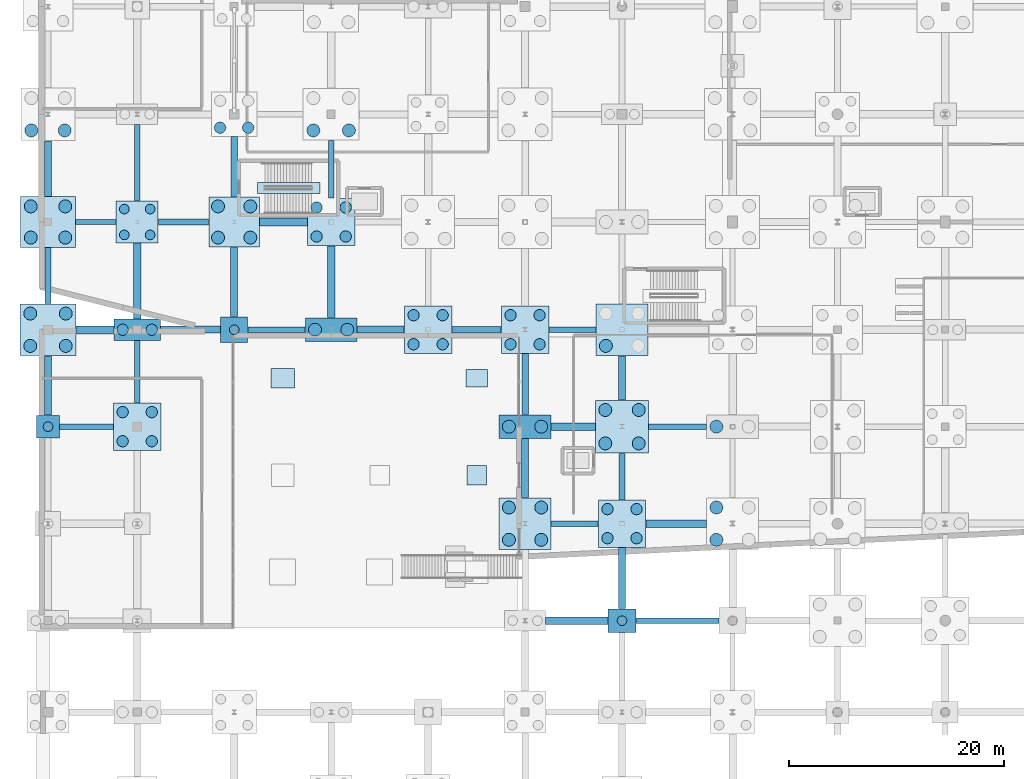
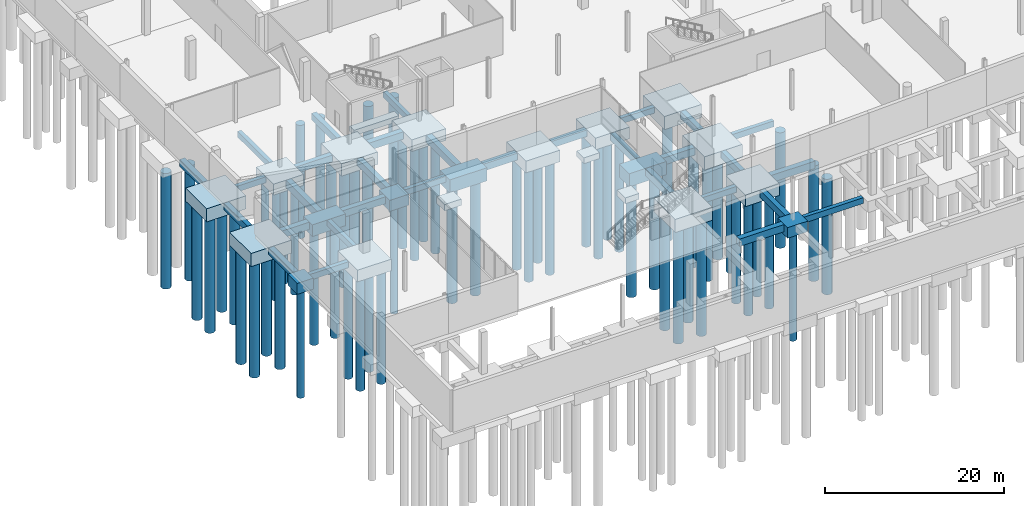
# One storey, part 2 of 60: 63 piles, 53 footings.
"""IFC4 building model written with IfcOpenShell, lengths in metres."""

from ifc_helpers import new_model, si_unit, direction, frame, origin, origin_2d, place, context, subcontext, project, spatial, rectangle, circle, extrude, material, material_profile, profile_set, type_object, element, save


model = new_model("IFC4")

# Units and contexts
model_context = context("Model", 3, precision=1e-05, world=origin(), true_north=direction((0.0, 1.0)))
body_context = subcontext(model_context, "Body", "Model", "MODEL_VIEW")
ifc_project = project(units=[si_unit("LENGTHUNIT", "METRE"), si_unit("AREAUNIT", "SQUARE_METRE"), si_unit("VOLUMEUNIT", "CUBIC_METRE"), si_unit("PLANEANGLEUNIT", "RADIAN"), si_unit("MASSUNIT", "GRAM", prefix="KILO")], contexts=[model_context])

# Site, building, storey
site_placement = place(None, origin())
site = spatial("IfcSite", under=ifc_project, at=site_placement, CompositionType="ELEMENT")
building_placement = place(site_placement, origin())
building = spatial("IfcBuilding", under=site, at=building_placement, Name="Trimount Lyric Opera House", CompositionType="ELEMENT")
storey_placement = place(building_placement, frame((0.0, 0.0, -5.39990234375)))
storey = spatial("IfcBuildingStorey", under=building, at=storey_placement, Name="B1", CompositionType="ELEMENT", Elevation=-5.39990234375)

# Footings
ifc_material_1 = material(Name="Concrete C40/50", Category="concrete")
footing_type_1 = type_object("IfcFootingType", Name="FB-01", PredefinedType="FOOTING_BEAM", material=ifc_material_1)
footing_1_placement = place(storey_placement, frame((5.0849609375, 44.0, -1.60009765625), z_axis=(0.0, 0.0, 1.0), x_axis=(1.0, 0.0, 0.0)))
element("IfcFooting", 1, at=footing_1_placement, inside=storey, type_object=footing_type_1, Name="Ground tie beam X-0008", PredefinedType="FOOTING_BEAM", context=body_context, shape_type="SweptSolid", body=[
    extrude(rectangle(XDim=3.5, YDim=0.699951171875, at=origin_2d()), origin(), (0.0, 0.0, 1.0), 1.0),
])
footing_2_placement = place(storey_placement, frame((9.0, 48.52490234375, -1.60009765625), z_axis=(0.0, 0.0, 1.0), x_axis=(1.0, 0.0, 0.0)))
element("IfcFooting", 2, at=footing_2_placement, inside=storey, type_object=footing_type_1, Name="Ground tie beam Y-0032", PredefinedType="FOOTING_BEAM", context=body_context, shape_type="SweptSolid", body=[
    extrude(rectangle(XDim=0.699951171875, YDim=7.02001953125, at=origin_2d()), origin(), (0.0, 0.0, 1.0), 1.0),
])
footing_3_placement = place(storey_placement, frame((22.574951171875, 54.0, -1.60009765625), z_axis=(0.0, 0.0, 1.0), x_axis=(1.0, 0.0, 0.0)))
element("IfcFooting", 3, at=footing_3_placement, inside=storey, type_object=footing_type_1, Name="Ground tie beam X-0052", PredefinedType="FOOTING_BEAM", context=body_context, shape_type="SweptSolid", body=[
    extrude(rectangle(XDim=4.419921875, YDim=0.699951171875, at=origin_2d()), origin(), (0.0, 0.0, 1.0), 1.0),
])
footing_4_placement = place(storey_placement, frame((27.0, 48.449951171875, -1.60009765625), z_axis=(0.0, 0.0, 1.0), x_axis=(1.0, 0.0, 0.0)))
element("IfcFooting", 4, at=footing_4_placement, inside=storey, type_object=footing_type_1, Name="Ground tie beam Y-0068", PredefinedType="FOOTING_BEAM", context=body_context, shape_type="SweptSolid", body=[
    extrude(rectangle(XDim=0.699951171875, YDim=6.669921875, at=origin_2d()), origin(), (0.0, 0.0, 1.0), 1.0),
])
footing_5_placement = place(storey_placement, frame((49.800048828125, 17.0, -1.60009765625), z_axis=(0.0, 0.0, 1.0), x_axis=(1.0, 0.0, 0.0)))
element("IfcFooting", 5, at=footing_5_placement, inside=storey, type_object=footing_type_1, Name="Ground tie beam X-0096", PredefinedType="FOOTING_BEAM", context=body_context, shape_type="SweptSolid", body=[
    extrude(rectangle(XDim=5.77001953125, YDim=0.699951171875, at=origin_2d()), origin(), (0.0, 0.0, 1.0), 1.0),
])
footing_6_placement = place(storey_placement, frame((49.47509765625, 35.0, -1.60009765625), z_axis=(0.0, 0.0, 1.0), x_axis=(1.0, 0.0, 0.0)))
element("IfcFooting", 6, at=footing_6_placement, inside=storey, type_object=footing_type_1, Name="Ground tie beam X-0100", PredefinedType="FOOTING_BEAM", context=body_context, shape_type="SweptSolid", body=[
    extrude(rectangle(XDim=4.1201171875, YDim=0.699951171875, at=origin_2d()), origin(), (0.0, 0.0, 1.0), 1.0),
])
footing_7_placement = place(storey_placement, frame((59.030029296875, 26.0, -1.60009765625), z_axis=(0.0, 0.0, 1.0), x_axis=(1.0, 0.0, 0.0)))
element("IfcFooting", 7, at=footing_7_placement, inside=storey, type_object=footing_type_1, Name="Ground tie beam X-0124", PredefinedType="FOOTING_BEAM", context=body_context, shape_type="SweptSolid", body=[
    extrude(rectangle(XDim=5.6298828125, YDim=0.699951171875, at=origin_2d()), origin(), (0.0, 0.0, 1.0), 1.0),
])
ifc_material_2 = material(Name="Concrete C40/50", Category="concrete")
footing_type_2 = type_object("IfcFootingType", Name="FB-02", PredefinedType="FOOTING_BEAM", material=ifc_material_2)
footing_8_placement = place(storey_placement, frame((0.719970703125, 49.02490234375, -1.5), z_axis=(0.0, 0.0, 1.0), x_axis=(1.0, 0.0, 0.0)))
element("IfcFooting", 8, at=footing_8_placement, inside=storey, type_object=footing_type_2, Name="Ground tie beam Y-0009", PredefinedType="FOOTING_BEAM", context=body_context, shape_type="SweptSolid", body=[
    extrude(rectangle(XDim=0.60009765625, YDim=5.219970703125, at=origin_2d()), origin(), (0.0, 0.0, 1.0), 0.89990234375),
])
footing_9_placement = place(storey_placement, frame((13.300048828125, 54.0, -1.5), z_axis=(0.0, 0.0, 1.0), x_axis=(1.0, 0.0, 0.0)))
element("IfcFooting", 9, at=footing_9_placement, inside=storey, type_object=footing_type_2, Name="Ground tie beam X-0033", PredefinedType="FOOTING_BEAM", context=body_context, shape_type="SweptSolid", body=[
    extrude(rectangle(XDim=4.669921875, YDim=0.60009765625, at=origin_2d()), origin(), (0.0, 0.0, 1.0), 0.89990234375),
])
footing_10_placement = place(storey_placement, frame((18.0, 59.125, -1.5), z_axis=(0.0, 0.0, 1.0), x_axis=(1.0, 0.0, 0.0)))
element("IfcFooting", 10, at=footing_10_placement, inside=storey, type_object=footing_type_2, Name="Ground tie beam Y-0053", PredefinedType="FOOTING_BEAM", context=body_context, shape_type="SweptSolid", body=[
    extrude(rectangle(XDim=0.60009765625, YDim=5.6201171875, at=origin_2d()), origin(), (0.0, 0.0, 1.0), 0.89990234375),
])
footing_11_placement = place(storey_placement, frame((40.5, 44.0, -1.5), z_axis=(0.0, 0.0, 1.0), x_axis=(1.0, 0.0, 0.0)))
element("IfcFooting", 11, at=footing_11_placement, inside=storey, type_object=footing_type_2, Name="Ground tie beam X-0081", PredefinedType="FOOTING_BEAM", context=body_context, shape_type="SweptSolid", body=[
    extrude(rectangle(XDim=4.570068359375, YDim=0.60009765625, at=origin_2d()), origin(), (0.0, 0.0, 1.0), 0.89990234375),
])
footing_12_placement = place(storey_placement, frame((45.0, 38.949951171875, -1.5), z_axis=(0.0, 0.0, 1.0), x_axis=(1.0, 0.0, 0.0)))
element("IfcFooting", 12, at=footing_12_placement, inside=storey, type_object=footing_type_2, Name="Ground tie beam Y-0101", PredefinedType="FOOTING_BEAM", context=body_context, shape_type="SweptSolid", body=[
    extrude(rectangle(XDim=0.60009765625, YDim=5.669921875, at=origin_2d()), origin(), (0.0, 0.0, 1.0), 0.89990234375),
])
footing_13_placement = place(storey_placement, frame((54.0, 30.375, -1.5), z_axis=(0.0, 0.0, 1.0), x_axis=(1.0, 0.0, 0.0)))
element("IfcFooting", 13, at=footing_13_placement, inside=storey, type_object=footing_type_2, Name="Ground tie beam Y-0125", PredefinedType="FOOTING_BEAM", context=body_context, shape_type="SweptSolid", body=[
    extrude(rectangle(XDim=0.60009765625, YDim=4.320068359375, at=origin_2d()), origin(), (0.0, 0.0, 1.0), 0.89990234375),
])
ifc_material_3 = material(Name="Concrete C40/50", Category="concrete")
footing_type_3 = type_object("IfcFootingType", Name="FB-03", PredefinedType="FOOTING_BEAM", material=ifc_material_3)
footing_14_placement = place(storey_placement, frame((4.284912109375, 35.0, -1.39990234375), z_axis=(0.0, 0.0, 1.0), x_axis=(1.0, 0.0, 0.0)))
element("IfcFooting", 14, at=footing_14_placement, inside=storey, type_object=footing_type_3, Name="Ground tie beam X-0006", PredefinedType="FOOTING_BEAM", context=body_context, shape_type="SweptSolid", body=[
    extrude(rectangle(XDim=5.0, YDim=0.5, at=origin_2d()), origin(), (0.0, 0.0, 1.0), 0.800048828125),
])
footing_15_placement = place(storey_placement, frame((5.159912109375, 54.0, -1.39990234375), z_axis=(0.0, 0.0, 1.0), x_axis=(1.0, 0.0, 0.0)))
element("IfcFooting", 15, at=footing_15_placement, inside=storey, type_object=footing_type_3, Name="Ground tie beam X-0010", PredefinedType="FOOTING_BEAM", context=body_context, shape_type="SweptSolid", body=[
    extrude(rectangle(XDim=3.75, YDim=0.5, at=origin_2d()), origin(), (0.0, 0.0, 1.0), 0.800048828125),
])
footing_16_placement = place(storey_placement, frame((9.0, 40.10009765625, -1.39990234375), z_axis=(0.0, 0.0, 1.0), x_axis=(1.0, 0.0, 0.0)))
element("IfcFooting", 16, at=footing_16_placement, inside=storey, type_object=footing_type_3, Name="Ground tie beam Y-0030", PredefinedType="FOOTING_BEAM", context=body_context, shape_type="SweptSolid", body=[
    extrude(rectangle(XDim=0.5, YDim=5.77001953125, at=origin_2d()), origin(), (0.0, 0.0, 1.0), 0.800048828125),
])
footing_17_placement = place(storey_placement, frame((9.0, 59.5, -1.39990234375), z_axis=(0.0, 0.0, 1.0), x_axis=(1.0, 0.0, 0.0)))
element("IfcFooting", 17, at=footing_17_placement, inside=storey, type_object=footing_type_3, Name="Ground tie beam Y-0034", PredefinedType="FOOTING_BEAM", context=body_context, shape_type="SweptSolid", body=[
    extrude(rectangle(XDim=0.5, YDim=7.070068359375, at=origin_2d()), origin(), (0.0, 0.0, 1.0), 0.800048828125),
])
footing_18_placement = place(storey_placement, frame((21.925048828125, 44.0, -1.39990234375), z_axis=(0.0, 0.0, 1.0), x_axis=(1.0, 0.0, 0.0)))
element("IfcFooting", 18, at=footing_18_placement, inside=storey, type_object=footing_type_3, Name="Ground tie beam X-0050", PredefinedType="FOOTING_BEAM", context=body_context, shape_type="SweptSolid", body=[
    extrude(rectangle(XDim=5.320068359375, YDim=0.5, at=origin_2d()), origin(), (0.0, 0.0, 1.0), 0.800048828125),
])
footing_19_placement = place(storey_placement, frame((27.0, 58.89990234375, -1.39990234375), z_axis=(0.0, 0.0, 1.0), x_axis=(1.0, 0.0, 0.0)))
element("IfcFooting", 19, at=footing_19_placement, inside=storey, type_object=footing_type_3, Name="Ground tie beam Y-0070", PredefinedType="FOOTING_BEAM", context=body_context, shape_type="SweptSolid", body=[
    extrude(rectangle(XDim=0.5, YDim=5.3701171875, at=origin_2d()), origin(), (0.0, 0.0, 1.0), 0.800048828125),
])
for number, where, z_axis, x_axis, name in (
    (20, (49.60009765625, 26.0, -1.39990234375), (0.0, 0.0, 1.0), (1.0, 0.0, 0.0), "Ground tie beam X-0098"),
    (21, (49.39990234375, 44.0, -1.39990234375), (0.0, 0.0, 1.0), (1.0, 0.0, 0.0), "Ground tie beam X-0102"),
):
    element("IfcFooting", number, at=place(storey_placement, frame(where, z_axis=z_axis, x_axis=x_axis)), inside=storey, type_object=footing_type_3, Name=name, PredefinedType="FOOTING_BEAM", context=body_context, shape_type="SweptSolid", body=[
        extrude(rectangle(XDim=4.3701171875, YDim=0.5, at=origin_2d()), origin(), (0.0, 0.0, 1.0), 0.800048828125),
    ])
footing_20_placement = place(storey_placement, frame((59.155029296875, 17.0, -1.39990234375), z_axis=(0.0, 0.0, 1.0), x_axis=(1.0, 0.0, 0.0)))
element("IfcFooting", 22, at=footing_20_placement, inside=storey, type_object=footing_type_3, Name="Ground tie beam X-0122", PredefinedType="FOOTING_BEAM", context=body_context, shape_type="SweptSolid", body=[
    extrude(rectangle(XDim=7.679931640625, YDim=0.5, at=origin_2d()), origin(), (0.0, 0.0, 1.0), 0.800048828125),
])
footing_21_placement = place(storey_placement, frame((59.155029296875, 35.0, -1.39990234375), z_axis=(0.0, 0.0, 1.0), x_axis=(1.0, 0.0, 0.0)))
element("IfcFooting", 23, at=footing_21_placement, inside=storey, type_object=footing_type_3, Name="Ground tie beam X-0126", PredefinedType="FOOTING_BEAM", context=body_context, shape_type="SweptSolid", body=[
    extrude(rectangle(XDim=5.3798828125, YDim=0.5, at=origin_2d()), origin(), (0.0, 0.0, 1.0), 0.800048828125),
])
ifc_material_4 = material(Name="Concrete C40/50", Category="concrete")
footing_type_4 = type_object("IfcFootingType", Name="FB-04", PredefinedType="FOOTING_BEAM", material=ifc_material_4)
footing_22_placement = place(storey_placement, frame((0.719970703125, 38.824951171875, -1.55029296875), z_axis=(0.0, 0.0, 1.0), x_axis=(1.0, 0.0, 0.0)))
element("IfcFooting", 24, at=footing_22_placement, inside=storey, type_object=footing_type_4, Name="Ground tie beam Y-0007", PredefinedType="FOOTING_BEAM", context=body_context, shape_type="SweptSolid", body=[
    extrude(rectangle(XDim=0.64990234375, YDim=5.52001953125, at=origin_2d()), origin(), (0.0, 0.0, 1.0), 0.949951171875),
])
footing_23_placement = place(storey_placement, frame((0.719970703125, 58.949951171875, -1.55029296875), z_axis=(0.0, 0.0, 1.0), x_axis=(1.0, 0.0, 0.0)))
element("IfcFooting", 25, at=footing_23_placement, inside=storey, type_object=footing_type_4, Name="Ground tie beam Y-0011", PredefinedType="FOOTING_BEAM", context=body_context, shape_type="SweptSolid", body=[
    extrude(rectangle(XDim=0.64990234375, YDim=5.169921875, at=origin_2d()), origin(), (0.0, 0.0, 1.0), 0.949951171875),
])
footing_24_placement = place(storey_placement, frame((13.949951171875, 44.0, -1.55029296875), z_axis=(0.0, 0.0, 1.0), x_axis=(1.0, 0.0, 0.0)))
element("IfcFooting", 26, at=footing_24_placement, inside=storey, type_object=footing_type_4, Name="Ground tie beam X-0031", PredefinedType="FOOTING_BEAM", context=body_context, shape_type="SweptSolid", body=[
    extrude(rectangle(XDim=5.570068359375, YDim=0.64990234375, at=origin_2d()), origin(), (0.0, 0.0, 1.0), 0.949951171875),
])
footing_25_placement = place(storey_placement, frame((18.0, 48.449951171875, -1.55029296875), z_axis=(0.0, 0.0, 1.0), x_axis=(1.0, 0.0, 0.0)))
element("IfcFooting", 27, at=footing_25_placement, inside=storey, type_object=footing_type_4, Name="Ground tie beam Y-0051", PredefinedType="FOOTING_BEAM", context=body_context, shape_type="SweptSolid", body=[
    extrude(rectangle(XDim=0.64990234375, YDim=6.469970703125, at=origin_2d()), origin(), (0.0, 0.0, 1.0), 0.949951171875),
])
footing_26_placement = place(storey_placement, frame((31.60009765625, 44.0, -1.55029296875), z_axis=(0.0, 0.0, 1.0), x_axis=(1.0, 0.0, 0.0)))
element("IfcFooting", 28, at=footing_26_placement, inside=storey, type_object=footing_type_4, Name="Ground tie beam X-0067", PredefinedType="FOOTING_BEAM", context=body_context, shape_type="SweptSolid", body=[
    extrude(rectangle(XDim=4.3701171875, YDim=0.64990234375, at=origin_2d()), origin(), (0.0, 0.0, 1.0), 0.949951171875),
])
footing_27_placement = place(storey_placement, frame((45.0, 31.14990234375, -1.55029296875), z_axis=(0.0, 0.0, 1.0), x_axis=(1.0, 0.0, 0.0)))
element("IfcFooting", 29, at=footing_27_placement, inside=storey, type_object=footing_type_4, Name="Ground tie beam Y-0099", PredefinedType="FOOTING_BEAM", context=body_context, shape_type="SweptSolid", body=[
    extrude(rectangle(XDim=0.64990234375, YDim=5.469970703125, at=origin_2d()), origin(), (0.0, 0.0, 1.0), 0.949951171875),
])
footing_28_placement = place(storey_placement, frame((54.0, 20.949951171875, -1.55029296875), z_axis=(0.0, 0.0, 1.0), x_axis=(1.0, 0.0, 0.0)))
element("IfcFooting", 30, at=footing_28_placement, inside=storey, type_object=footing_type_4, Name="Ground tie beam Y-0123", PredefinedType="FOOTING_BEAM", context=body_context, shape_type="SweptSolid", body=[
    extrude(rectangle(XDim=0.64990234375, YDim=5.669921875, at=origin_2d()), origin(), (0.0, 0.0, 1.0), 0.949951171875),
])
footing_29_placement = place(storey_placement, frame((54.0, 39.52490234375, -1.55029296875), z_axis=(0.0, 0.0, 1.0), x_axis=(1.0, 0.0, 0.0)))
element("IfcFooting", 31, at=footing_29_placement, inside=storey, type_object=footing_type_4, Name="Ground tie beam Y-0127", PredefinedType="FOOTING_BEAM", context=body_context, shape_type="SweptSolid", body=[
    extrude(rectangle(XDim=0.64990234375, YDim=4.1201171875, at=origin_2d()), origin(), (0.0, 0.0, 1.0), 0.949951171875),
])
ifc_material_5 = material(Name="Concrete C40/50", Category="concrete")
footing_type_5 = type_object("IfcFootingType", Name="PC-01", PredefinedType="PILE_CAP", material=ifc_material_5)
footing_30_placement = place(storey_placement, frame((54.0, 35.0, -2.39990234375), z_axis=(0.0, 0.0, 1.0), x_axis=(1.0, 0.0, 0.0)))
element("IfcFooting", 32, at=footing_30_placement, inside=storey, type_object=footing_type_5, Name="Pile cap 7/E", PredefinedType="PILE_CAP", context=body_context, shape_type="SweptSolid", body=[
    extrude(rectangle(XDim=4.89990234375, YDim=4.89990234375, at=origin_2d()), origin(), (0.0, 0.0, 1.0), 1.800048828125),
])
ifc_material_6 = material(Name="Concrete C40/50", Category="concrete")
footing_type_6 = type_object("IfcFootingType", Name="PC-02", PredefinedType="PILE_CAP", material=ifc_material_6)
for number, where, z_axis, x_axis, name in (
    (33, (45.0, 26.0, -2.39990234375), (0.0, 0.0, 1.0), (1.0, 0.0, 0.0), "Pile cap 6/D"),
    (34, (54.0, 44.0, -2.39990234375), (0.0, 0.0, 1.0), (1.0, 0.0, 0.0), "Pile cap 7/F"),
):
    element("IfcFooting", number, at=place(storey_placement, frame(where, z_axis=z_axis, x_axis=x_axis)), inside=storey, type_object=footing_type_6, Name=name, PredefinedType="PILE_CAP", context=body_context, shape_type="SweptSolid", body=[
        extrude(rectangle(XDim=4.800048828125, YDim=4.800048828125, at=origin_2d()), origin(), (0.0, 0.0, 1.0), 1.800048828125),
    ])
ifc_material_7 = material(Name="Concrete C40/50", Category="concrete")
footing_type_7 = type_object("IfcFootingType", Name="PC-03", PredefinedType="PILE_CAP", material=ifc_material_7)
for number, where, z_axis, x_axis, name in (
    (35, (27.0, 44.0, -2.39990234375), (0.0, 0.0, 1.0), (1.0, 0.0, 0.0), "Pile cap 4/F"),
    (36, (45.0, 35.0, -2.39990234375), (0.0, 0.0, 1.0), (1.0, 0.0, 0.0), "Pile cap 6/E"),
):
    element("IfcFooting", number, at=place(storey_placement, frame(where, z_axis=z_axis, x_axis=x_axis)), inside=storey, type_object=footing_type_7, Name=name, PredefinedType="PILE_CAP", context=body_context, shape_type="SweptSolid", body=[
        extrude(rectangle(XDim=4.800048828125, YDim=2.199951171875, at=origin_2d()), origin(), (0.0, 0.0, 1.0), 1.800048828125),
    ])
ifc_material_8 = material(Name="Concrete C40/50", Category="concrete")
footing_type_8 = type_object("IfcFootingType", Name="PC-04", PredefinedType="PILE_CAP", material=ifc_material_8)
for number, where, z_axis, x_axis, name in (
    (37, (9.0, 35.0, -2.2001953125), (0.0, 0.0, 1.0), (1.0, 0.0, 0.0), "Pile cap 2/E"),
    (38, (27.0, 54.0, -2.2001953125), (0.0, 0.0, 1.0), (1.0, 0.0, 0.0), "Pile cap 4/G"),
    (39, (36.0, 44.0, -2.2001953125), (0.0, 0.0, 1.0), (1.0, 0.0, 0.0), "Pile cap 5/F"),
    (40, (45.0, 44.0, -2.2001953125), (0.0, 0.0, 1.0), (1.0, 0.0, 0.0), "Pile cap 6/F"),
    (41, (54.0, 26.0, -2.2001953125), (0.0, 0.0, 1.0), (1.0, 0.0, 0.0), "Pile cap 7/D"),
):
    element("IfcFooting", number, at=place(storey_placement, frame(where, z_axis=z_axis, x_axis=x_axis)), inside=storey, type_object=footing_type_8, Name=name, PredefinedType="PILE_CAP", context=body_context, shape_type="SweptSolid", body=[
        extrude(rectangle(XDim=4.39990234375, YDim=4.39990234375, at=origin_2d()), origin(), (0.0, 0.0, 1.0), 1.60009765625),
    ])
ifc_material_9 = material(Name="Concrete C40/50", Category="concrete")
footing_type_9 = type_object("IfcFootingType", Name="PC-05", PredefinedType="PILE_CAP", material=ifc_material_9)
footing_31_placement = place(storey_placement, frame((9.0, 44.0, -2.2001953125), z_axis=(0.0, 0.0, 1.0), x_axis=(1.0, 0.0, 0.0)))
element("IfcFooting", 42, at=footing_31_placement, inside=storey, type_object=footing_type_9, Name="Pile cap 2/F", PredefinedType="PILE_CAP", context=body_context, shape_type="SweptSolid", body=[
    extrude(rectangle(XDim=4.300048828125, YDim=2.0, at=origin_2d()), origin(), (0.0, 0.0, 1.0), 1.60009765625),
])
ifc_material_10 = material(Name="Concrete C40/50", Category="concrete")
footing_type_10 = type_object("IfcFootingType", Name="PC-06", PredefinedType="PILE_CAP", material=ifc_material_10)
footing_32_placement = place(storey_placement, frame((9.0, 54.0, -2.10009765625), z_axis=(0.0, 0.0, 1.0), x_axis=(1.0, 0.0, 0.0)))
element("IfcFooting", 43, at=footing_32_placement, inside=storey, type_object=footing_type_10, Name="Pile cap 2/G", PredefinedType="PILE_CAP", context=body_context, shape_type="SweptSolid", body=[
    extrude(rectangle(XDim=3.89990234375, YDim=3.89990234375, at=origin_2d()), origin(), (0.0, 0.0, 1.0), 1.5),
])
ifc_material_11 = material(Name="Concrete C40/50", Category="concrete")
footing_type_11 = type_object("IfcFootingType", Name="PC-09", PredefinedType="PILE_CAP", material=ifc_material_11)
footing_33_placement = place(storey_placement, frame((0.719970703125, 35.0, -2.10009765625), z_axis=(0.0, 0.0, 1.0), x_axis=(1.0, 0.0, 0.0)))
element("IfcFooting", 44, at=footing_33_placement, inside=storey, type_object=footing_type_11, Name="Pile cap 1/E", PredefinedType="PILE_CAP", context=body_context, shape_type="SweptSolid", body=[
    extrude(rectangle(XDim=2.10009765625, YDim=2.10009765625, at=origin_2d()), origin(), (0.0, 0.0, 1.0), 1.5),
])
ifc_material_12 = material(Name="Concrete C40/50", Category="concrete")
footing_type_12 = type_object("IfcFootingType", Name="PC-10", PredefinedType="PILE_CAP", material=ifc_material_12)
footing_34_placement = place(storey_placement, frame((0.719970703125, 44.0, -2.39990234375), z_axis=(0.0, 0.0, 1.0), x_axis=(1.0, 0.0, 0.0)))
element("IfcFooting", 45, at=footing_34_placement, inside=storey, type_object=footing_type_12, Name="Pile cap 1/F", PredefinedType="PILE_CAP", context=body_context, shape_type="SweptSolid", body=[
    extrude(rectangle(XDim=5.199951171875, YDim=4.800048828125, at=origin_2d()), origin(), (0.0, 0.0, 1.0), 1.800048828125),
])
ifc_material_13 = material(Name="Concrete C40/50", Category="concrete")
footing_type_13 = type_object("IfcFootingType", Name="PC-11", PredefinedType="PILE_CAP", material=ifc_material_13)
footing_35_placement = place(storey_placement, frame((0.719970703125, 54.0, -2.39990234375), z_axis=(0.0, 0.0, 1.0), x_axis=(1.0, 0.0, 0.0)))
element("IfcFooting", 46, at=footing_35_placement, inside=storey, type_object=footing_type_13, Name="Pile cap 1/G", PredefinedType="PILE_CAP", context=body_context, shape_type="SweptSolid", body=[
    extrude(rectangle(XDim=5.10009765625, YDim=4.699951171875, at=origin_2d()), origin(), (0.0, 0.0, 1.0), 1.800048828125),
])
ifc_material_14 = material(Name="Concrete C40/50", Category="concrete")
footing_type_14 = type_object("IfcFootingType", Name="PC-16", PredefinedType="PILE_CAP", material=ifc_material_14)
footing_36_placement = place(storey_placement, frame((18.0, 44.0, -2.10009765625), z_axis=(0.0, 0.0, 1.0), x_axis=(1.0, 0.0, 0.0)))
element("IfcFooting", 47, at=footing_36_placement, inside=storey, type_object=footing_type_14, Name="Pile cap 3/F", PredefinedType="PILE_CAP", context=body_context, shape_type="SweptSolid", body=[
    extrude(rectangle(XDim=2.5, YDim=2.39990234375, at=origin_2d()), origin(), (0.0, 0.0, 1.0), 1.5),
])
ifc_material_15 = material(Name="Concrete C40/50", Category="concrete")
footing_type_15 = type_object("IfcFootingType", Name="PC-17", PredefinedType="PILE_CAP", material=ifc_material_15)
footing_37_placement = place(storey_placement, frame((18.0, 54.0, -2.30029296875), z_axis=(0.0, 0.0, 1.0), x_axis=(1.0, 0.0, 0.0)))
element("IfcFooting", 48, at=footing_37_placement, inside=storey, type_object=footing_type_15, Name="Pile cap 3/G", PredefinedType="PILE_CAP", context=body_context, shape_type="SweptSolid", body=[
    extrude(rectangle(XDim=4.699951171875, YDim=4.60009765625, at=origin_2d()), origin(), (0.0, 0.0, 1.0), 1.699951171875),
])
ifc_material_16 = material(Name="Concrete C40/50", Category="concrete")
footing_type_16 = type_object("IfcFootingType", Name="PC-21", PredefinedType="PILE_CAP", material=ifc_material_16)
footing_38_placement = place(storey_placement, frame((54.0, 17.0, -2.05029296875), z_axis=(0.0, 0.0, 1.0), x_axis=(1.0, 0.0, 0.0)))
element("IfcFooting", 49, at=footing_38_placement, inside=storey, type_object=footing_type_16, Name="Pile cap 7/C", PredefinedType="PILE_CAP", context=body_context, shape_type="SweptSolid", body=[
    extrude(rectangle(XDim=2.60009765625, YDim=2.199951171875, at=origin_2d()), origin(), (0.0, 0.0, 1.0), 1.449951171875),
])
ifc_material_17 = material(Name="Concrete C40/50", Category="concrete")
footing_type_17 = type_object("IfcFootingType", Name="PF-03", PredefinedType="PAD_FOOTING", material=ifc_material_17)
footing_39_placement = place(storey_placement, frame((40.5, 30.5, -1.05029296875), z_axis=(0.0, 0.0, 1.0), x_axis=(1.0, 0.0, 0.0)))
element("IfcFooting", 50, at=footing_39_placement, inside=storey, type_object=footing_type_17, Name="Forecourt pad footing PF-PLZ-06", PredefinedType="PAD_FOOTING", context=body_context, shape_type="SweptSolid", body=[
    extrude(rectangle(XDim=1.800048828125, YDim=1.800048828125, at=origin_2d()), origin(), (0.0, 0.0, 1.0), 0.800048828125),
])
ifc_material_18 = material(Name="Concrete C40/50", Category="concrete")
footing_type_18 = type_object("IfcFootingType", Name="PF-04", PredefinedType="PAD_FOOTING", material=ifc_material_18)
footing_40_placement = place(storey_placement, frame((22.5, 39.5, -1.10009765625), z_axis=(0.0, 0.0, 1.0), x_axis=(1.0, 0.0, 0.0)))
element("IfcFooting", 51, at=footing_40_placement, inside=storey, type_object=footing_type_18, Name="Forecourt pad footing PF-PLZ-07", PredefinedType="PAD_FOOTING", context=body_context, shape_type="SweptSolid", body=[
    extrude(rectangle(XDim=2.199951171875, YDim=1.800048828125, at=origin_2d()), origin(), (0.0, 0.0, 1.0), 0.85009765625),
])
ifc_material_19 = material(Name="Concrete C40/50", Category="concrete")
footing_type_19 = type_object("IfcFootingType", Name="PF-05", PredefinedType="PAD_FOOTING", material=ifc_material_19)
footing_41_placement = place(storey_placement, frame((40.5, 39.5, -1.05029296875), z_axis=(0.0, 0.0, 1.0), x_axis=(1.0, 0.0, 0.0)))
element("IfcFooting", 52, at=footing_41_placement, inside=storey, type_object=footing_type_19, Name="Forecourt pad footing PF-PLZ-08", PredefinedType="PAD_FOOTING", context=body_context, shape_type="SweptSolid", body=[
    extrude(rectangle(XDim=2.0, YDim=1.60009765625, at=origin_2d()), origin(), (0.0, 0.0, 1.0), 0.800048828125),
])

# Piles
ifc_material_20 = material(Name="Concrete C40/50", Category="concrete")
ifc_material_profile_1 = material_profile(ifc_material_20, circle(Radius=0.52490234375, at=origin_2d()), Name="PILE-D1050")
ifc_profile_set_1 = profile_set([ifc_material_profile_1], Name="Concrete C40/50")
pile_type_1 = type_object("IfcPileType", Name="PL-1050", PredefinedType="BORED", material=ifc_profile_set_1)
for number, where, z_axis, x_axis, name in (
    (53, (7.64990234375, 33.64990234375, -2.10009765625), (0.0, 0.0, -1.0), (1.0, 0.0, 0.0), "Bored pile 0050"),
    (54, (10.35009765625, 33.64990234375, -2.10009765625), (0.0, 0.0, -1.0), (1.0, 0.0, 0.0), "Bored pile 0051"),
    (55, (7.64990234375, 36.35009765625, -2.10009765625), (0.0, 0.0, -1.0), (1.0, 0.0, 0.0), "Bored pile 0052"),
    (56, (10.35009765625, 36.35009765625, -2.10009765625), (0.0, 0.0, -1.0), (1.0, 0.0, 0.0), "Bored pile 0053"),
    (57, (7.64990234375, 44.0, -2.10009765625), (0.0, 0.0, -1.0), (1.0, 0.0, 0.0), "Bored pile 0054"),
    (58, (10.35009765625, 44.0, -2.10009765625), (0.0, 0.0, -1.0), (1.0, 0.0, 0.0), "Bored pile 0055"),
    (59, (16.699951171875, 62.75, -2.050048828125), (0.0, 0.0, -1.0), (1.0, 0.0, 0.0), "Bored pile 0091"),
    (60, (19.300048828125, 62.75, -2.050048828125), (0.0, 0.0, -1.0), (1.0, 0.0, 0.0), "Bored pile 0092"),
    (61, (25.64990234375, 52.64990234375, -2.10009765625), (0.0, 0.0, -1.0), (1.0, 0.0, 0.0), "Bored pile 0117"),
    (62, (28.35009765625, 52.64990234375, -2.10009765625), (0.0, 0.0, -1.0), (1.0, 0.0, 0.0), "Bored pile 0118"),
    (63, (25.64990234375, 55.35009765625, -2.10009765625), (0.0, 0.0, -1.0), (1.0, 0.0, 0.0), "Bored pile 0119"),
    (64, (28.35009765625, 55.35009765625, -2.10009765625), (0.0, 0.0, -1.0), (1.0, 0.0, 0.0), "Bored pile 0120"),
    (65, (34.64990234375, 42.64990234375, -2.10009765625), (0.0, 0.0, -1.0), (1.0, 0.0, 0.0), "Bored pile 0144"),
    (66, (37.35009765625, 42.64990234375, -2.10009765625), (0.0, 0.0, -1.0), (1.0, 0.0, 0.0), "Bored pile 0145"),
    (67, (34.64990234375, 45.35009765625, -2.10009765625), (0.0, 0.0, -1.0), (1.0, 0.0, 0.0), "Bored pile 0146"),
    (68, (37.35009765625, 45.35009765625, -2.10009765625), (0.0, 0.0, -1.0), (1.0, 0.0, 0.0), "Bored pile 0147"),
    (69, (43.64990234375, 42.64990234375, -2.10009765625), (0.0, 0.0, -1.0), (1.0, 0.0, 0.0), "Bored pile 0178"),
    (70, (46.35009765625, 42.64990234375, -2.10009765625), (0.0, 0.0, -1.0), (1.0, 0.0, 0.0), "Bored pile 0179"),
    (71, (43.64990234375, 45.35009765625, -2.10009765625), (0.0, 0.0, -1.0), (1.0, 0.0, 0.0), "Bored pile 0180"),
    (72, (46.35009765625, 45.35009765625, -2.10009765625), (0.0, 0.0, -1.0), (1.0, 0.0, 0.0), "Bored pile 0181"),
    (73, (52.64990234375, 24.64990234375, -2.10009765625), (0.0, 0.0, -1.0), (1.0, 0.0, 0.0), "Bored pile 0216"),
    (74, (55.35009765625, 24.64990234375, -2.10009765625), (0.0, 0.0, -1.0), (1.0, 0.0, 0.0), "Bored pile 0217"),
    (75, (52.64990234375, 27.35009765625, -2.10009765625), (0.0, 0.0, -1.0), (1.0, 0.0, 0.0), "Bored pile 0218"),
    (76, (55.35009765625, 27.35009765625, -2.10009765625), (0.0, 0.0, -1.0), (1.0, 0.0, 0.0), "Bored pile 0219"),
):
    element("IfcPile", number, at=place(storey_placement, frame(where, z_axis=z_axis, x_axis=x_axis)), inside=storey, type_object=pile_type_1, Name=name, PredefinedType="BORED", context=body_context, shape_type="SweptSolid", body=[
        extrude(circle(Radius=0.52490234375, at=origin_2d()), origin(), (0.0, 0.0, 1.0), 15.5),
    ])
ifc_material_21 = material(Name="Concrete C40/50", Category="concrete")
ifc_material_profile_2 = material_profile(ifc_material_21, circle(Radius=0.60009765625, at=origin_2d()), Name="PILE-D1200")
ifc_profile_set_2 = profile_set([ifc_material_profile_2], Name="Concrete C40/50")
pile_type_2 = type_object("IfcPileType", Name="PL-1200", PredefinedType="BORED", material=ifc_profile_set_2)
for number, where, z_axis, x_axis, name in (
    (77, (-0.929931640625, 42.5, -2.300048828125), (0.0, 0.0, -1.0), (1.0, 0.0, 0.0), "Bored pile 0011"),
    (78, (2.3701171875, 42.5, -2.300048828125), (0.0, 0.0, -1.0), (1.0, 0.0, 0.0), "Bored pile 0012"),
    (79, (-0.929931640625, 45.5, -2.300048828125), (0.0, 0.0, -1.0), (1.0, 0.0, 0.0), "Bored pile 0013"),
    (80, (2.3701171875, 45.5, -2.300048828125), (0.0, 0.0, -1.0), (1.0, 0.0, 0.0), "Bored pile 0014"),
    (81, (-0.8798828125, 52.550048828125, -2.300048828125), (0.0, 0.0, -1.0), (1.0, 0.0, 0.0), "Bored pile 0015"),
    (82, (2.320068359375, 52.550048828125, -2.300048828125), (0.0, 0.0, -1.0), (1.0, 0.0, 0.0), "Bored pile 0016"),
    (83, (-0.8798828125, 55.449951171875, -2.300048828125), (0.0, 0.0, -1.0), (1.0, 0.0, 0.0), "Bored pile 0017"),
    (84, (2.320068359375, 55.449951171875, -2.300048828125), (0.0, 0.0, -1.0), (1.0, 0.0, 0.0), "Bored pile 0018"),
    (85, (-0.830078125, 62.5, -2.300048828125), (0.0, 0.0, -1.0), (1.0, 0.0, 0.0), "Bored pile 0019"),
    (86, (2.27001953125, 62.5, -2.300048828125), (0.0, 0.0, -1.0), (1.0, 0.0, 0.0), "Bored pile 0020"),
    (87, (16.5, 52.550048828125, -2.2001953125), (0.0, 0.0, -1.0), (1.0, 0.0, 0.0), "Bored pile 0087"),
    (88, (19.5, 52.550048828125, -2.2001953125), (0.0, 0.0, -1.0), (1.0, 0.0, 0.0), "Bored pile 0088"),
    (89, (16.5, 55.449951171875, -2.2001953125), (0.0, 0.0, -1.0), (1.0, 0.0, 0.0), "Bored pile 0089"),
    (90, (19.5, 55.449951171875, -2.2001953125), (0.0, 0.0, -1.0), (1.0, 0.0, 0.0), "Bored pile 0090"),
    (91, (25.5, 44.0, -2.300048828125), (0.0, 0.0, -1.0), (1.0, 0.0, 0.0), "Bored pile 0115"),
    (92, (28.5, 44.0, -2.300048828125), (0.0, 0.0, -1.0), (1.0, 0.0, 0.0), "Bored pile 0116"),
    (93, (25.35009765625, 62.5, -2.300048828125), (0.0, 0.0, -1.0), (1.0, 0.0, 0.0), "Bored pile 0121"),
    (94, (28.64990234375, 62.5, -2.300048828125), (0.0, 0.0, -1.0), (1.0, 0.0, 0.0), "Bored pile 0122"),
    (95, (43.5, 24.5, -2.300048828125), (0.0, 0.0, -1.0), (1.0, 0.0, 0.0), "Bored pile 0172"),
    (96, (46.5, 24.5, -2.300048828125), (0.0, 0.0, -1.0), (1.0, 0.0, 0.0), "Bored pile 0173"),
    (97, (43.5, 27.5, -2.300048828125), (0.0, 0.0, -1.0), (1.0, 0.0, 0.0), "Bored pile 0174"),
    (98, (46.5, 27.5, -2.300048828125), (0.0, 0.0, -1.0), (1.0, 0.0, 0.0), "Bored pile 0175"),
    (99, (43.5, 35.0, -2.300048828125), (0.0, 0.0, -1.0), (1.0, 0.0, 0.0), "Bored pile 0176"),
    (100, (46.5, 35.0, -2.300048828125), (0.0, 0.0, -1.0), (1.0, 0.0, 0.0), "Bored pile 0177"),
    (101, (52.449951171875, 33.449951171875, -2.300048828125), (0.0, 0.0, -1.0), (1.0, 0.0, 0.0), "Bored pile 0220"),
    (102, (55.550048828125, 33.449951171875, -2.300048828125), (0.0, 0.0, -1.0), (1.0, 0.0, 0.0), "Bored pile 0221"),
    (103, (52.449951171875, 36.550048828125, -2.300048828125), (0.0, 0.0, -1.0), (1.0, 0.0, 0.0), "Bored pile 0222"),
    (104, (55.550048828125, 36.550048828125, -2.300048828125), (0.0, 0.0, -1.0), (1.0, 0.0, 0.0), "Bored pile 0223"),
    (105, (52.5, 42.5, -2.300048828125), (0.0, 0.0, -1.0), (1.0, 0.0, 0.0), "Bored pile 0224"),
    (106, (62.760009765625, 24.5, -2.300048828125), (0.0, 0.0, -1.0), (1.0, 0.0, 0.0), "Bored pile 0257"),
    (107, (62.760009765625, 27.5, -2.300048828125), (0.0, 0.0, -1.0), (1.0, 0.0, 0.0), "Bored pile 0259"),
    (108, (62.760009765625, 35.0, -2.300048828125), (0.0, 0.0, -1.0), (1.0, 0.0, 0.0), "Bored pile 0261"),
):
    element("IfcPile", number, at=place(storey_placement, frame(where, z_axis=z_axis, x_axis=x_axis)), inside=storey, type_object=pile_type_2, Name=name, PredefinedType="BORED", context=body_context, shape_type="SweptSolid", body=[
        extrude(circle(Radius=0.60009765625, at=origin_2d()), origin(), (0.0, 0.0, 1.0), 15.800048828125),
    ])
ifc_material_22 = material(Name="Concrete C40/50", Category="concrete")
ifc_material_profile_3 = material_profile(ifc_material_22, circle(Radius=0.449951171875, at=origin_2d()), Name="PILE-D900")
ifc_profile_set_3 = profile_set([ifc_material_profile_3], Name="Concrete C40/50")
pile_type_3 = type_object("IfcPileType", Name="PL-900", PredefinedType="BORED", material=ifc_profile_set_3)
for number, where, z_axis, x_axis, name in (
    (109, (0.719970703125, 35.0, -2.0), (0.0, 0.0, -1.0), (1.0, 0.0, 0.0), "Bored pile 0010"),
    (110, (7.800048828125, 52.800048828125, -2.0), (0.0, 0.0, -1.0), (1.0, 0.0, 0.0), "Bored pile 0056"),
    (111, (10.199951171875, 52.800048828125, -2.0), (0.0, 0.0, -1.0), (1.0, 0.0, 0.0), "Bored pile 0057"),
    (112, (7.800048828125, 55.199951171875, -2.0), (0.0, 0.0, -1.0), (1.0, 0.0, 0.0), "Bored pile 0058"),
    (113, (10.199951171875, 55.199951171875, -2.0), (0.0, 0.0, -1.0), (1.0, 0.0, 0.0), "Bored pile 0059"),
    (114, (18.0, 44.0, -2.0), (0.0, 0.0, -1.0), (1.0, 0.0, 0.0), "Bored pile 0086"),
    (115, (54.0, 17.0, -1.9501953125), (0.0, 0.0, -1.0), (1.0, 0.0, 0.0), "Bored pile 0215"),
):
    element("IfcPile", number, at=place(storey_placement, frame(where, z_axis=z_axis, x_axis=x_axis)), inside=storey, type_object=pile_type_3, Name=name, PredefinedType="BORED", context=body_context, shape_type="SweptSolid", body=[
        extrude(circle(Radius=0.449951171875, at=origin_2d()), origin(), (0.0, 0.0, 1.0), 15.0),
    ])

# Footing
ifc_material_23 = material(Name="Concrete C40/50", Category="concrete")
footing_type_20 = type_object("IfcFootingType", Name="SF-03", PredefinedType="STRIP_FOOTING", material=ifc_material_23)
footing_42_placement = place(storey_placement, frame((23.050048828125, 57.14990234375, -1.35009765625), z_axis=(0.0, 0.0, 1.0), x_axis=(1.0, 0.0, 0.0)))
element("IfcFooting", 116, at=footing_42_placement, inside=storey, type_object=footing_type_20, Name="Core strip footing SF-K6", PredefinedType="STRIP_FOOTING", context=body_context, shape_type="SweptSolid", body=[
    extrude(rectangle(XDim=5.800048828125, YDim=1.0, at=origin_2d()), origin(), (0.0, 0.0, 1.0), 0.75),
])

save(model, "model.ifc")
